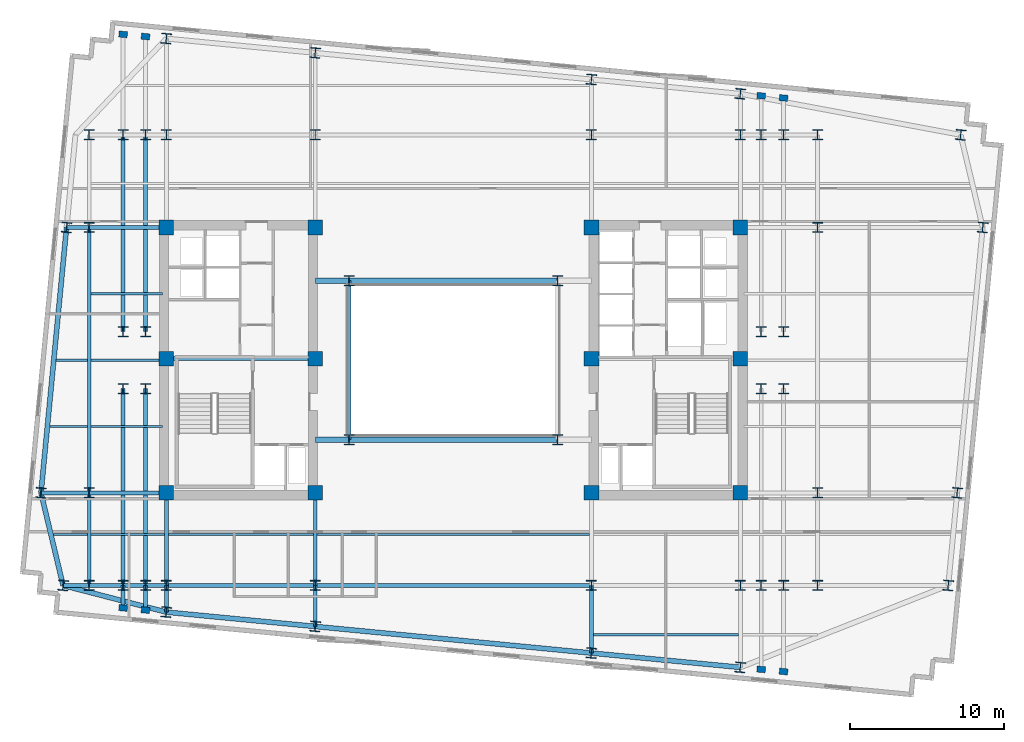
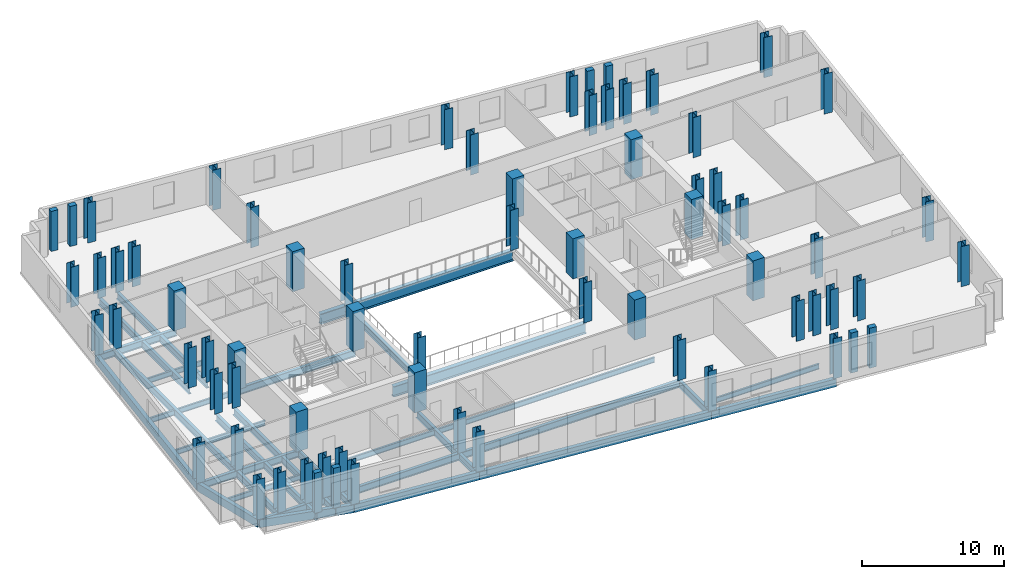
# One storey, part 1 of 9: 71 columns, 43 beams.
"""IFC4 building model written with IfcOpenShell, lengths in metres."""

from ifc_helpers import new_model, si_unit, direction, frame, origin, origin_2d, place, context, subcontext, project, spatial, rectangle, i_section, extrude, material, material_profile, profile_set, type_object, element, save


model = new_model("IFC4")

# Units and contexts
model_context = context("Model", 3, precision=1e-05, world=origin(), true_north=direction((0.0, 1.0)))
body_context = subcontext(model_context, "Body", "Model", "MODEL_VIEW")
ifc_project = project(units=[si_unit("LENGTHUNIT", "METRE"), si_unit("AREAUNIT", "SQUARE_METRE"), si_unit("VOLUMEUNIT", "CUBIC_METRE"), si_unit("PLANEANGLEUNIT", "RADIAN"), si_unit("MASSUNIT", "GRAM", prefix="KILO")], contexts=[model_context])

# Site, building, storey
site_placement = place(None, origin())
site = spatial("IfcSite", under=ifc_project, at=site_placement, CompositionType="ELEMENT")
building_placement = place(site_placement, origin())
building = spatial("IfcBuilding", under=site, at=building_placement, Name="Velakula Bourse", CompositionType="ELEMENT")
storey_placement = place(building_placement, frame((0.0, 0.0, 163.85009765625)))
storey = spatial("IfcBuildingStorey", under=building, at=storey_placement, Name="L44", CompositionType="ELEMENT", Elevation=163.85009765625)

# Columns
ifc_material_1 = material(Name="Concrete M70 (fck 70 MPa)", Category="concrete")
ifc_material_profile_1 = material_profile(ifc_material_1, rectangle(XDim=0.949951171875, YDim=0.949951171875, at=origin_2d()), Name="Concrete M70 (fck 70 MPa)")
ifc_profile_set_1 = profile_set([ifc_material_profile_1], Name="Concrete M70 (fck 70 MPa)")
column_type_1 = type_object("IfcColumnType", Name="COL-RC-950", PredefinedType="COLUMN", material=ifc_profile_set_1)
for number, where, z_axis, x_axis, name in (
    (1, (-8.949951171875, -8.60009765625, 0.0), (0.0, 0.0, 1.0), (1.0, 0.0, 0.0), "L44 Core Boundary Column 01"),
    (2, (-8.949951171875, 0.10009765625, 0.0), (0.0, 0.0, 1.0), (1.0, 0.0, 0.0), "L44 Core Boundary Column 02"),
    (3, (-8.949951171875, 8.60009765625, 0.0), (0.0, 0.0, 1.0), (1.0, 0.0, 0.0), "L44 Core Boundary Column 03"),
    (4, (-18.60009765625, -8.60009765625, 0.0), (0.0, 0.0, 1.0), (1.0, 0.0, 0.0), "L44 Core Boundary Column 04"),
    (5, (-18.60009765625, 0.10009765625, 0.0), (0.0, 0.0, 1.0), (1.0, 0.0, 0.0), "L44 Core Boundary Column 05"),
    (6, (-18.60009765625, 8.60009765625, 0.0), (0.0, 0.0, 1.0), (1.0, 0.0, 0.0), "L44 Core Boundary Column 06"),
    (7, (8.949951171875, -8.60009765625, 0.0), (0.0, 0.0, 1.0), (1.0, 0.0, 0.0), "L44 Core Boundary Column 07"),
    (8, (8.949951171875, 0.10009765625, 0.0), (0.0, 0.0, 1.0), (1.0, 0.0, 0.0), "L44 Core Boundary Column 08"),
    (9, (8.949951171875, 8.60009765625, 0.0), (0.0, 0.0, 1.0), (1.0, 0.0, 0.0), "L44 Core Boundary Column 09"),
    (10, (18.60009765625, -8.60009765625, 0.0), (0.0, 0.0, 1.0), (1.0, 0.0, 0.0), "L44 Core Boundary Column 10"),
    (11, (18.60009765625, 0.10009765625, 0.0), (0.0, 0.0, 1.0), (1.0, 0.0, 0.0), "L44 Core Boundary Column 11"),
    (12, (18.60009765625, 8.60009765625, 0.0), (0.0, 0.0, 1.0), (1.0, 0.0, 0.0), "L44 Core Boundary Column 12"),
):
    element("IfcColumn", number, at=place(storey_placement, frame(where, z_axis=z_axis, x_axis=x_axis)), inside=storey, type_object=column_type_1, Name=name, PredefinedType="COLUMN", context=body_context, shape_type="SweptSolid", body=[
        extrude(rectangle(XDim=0.949951171875, YDim=0.949951171875, at=origin_2d()), origin(), (0.0, 0.0, 1.0), 3.449951171875),
    ])
ifc_material_2 = material(Name="Steel IS 2062 Grade 350 (E350)", Category="steel")
ifc_material_profile_2 = material_profile(ifc_material_2, i_section(OverallWidth=0.64990234375, OverallDepth=0.64990234375, WebThickness=0.028076171875, FlangeThickness=0.0400390625, at=origin_2d()), Name="Steel IS 2062 Grade 350 (E350)")
ifc_profile_set_2 = profile_set([ifc_material_profile_2], Name="Steel IS 2062 Grade 350 (E350)")
column_type_2 = type_object("IfcColumnType", Name="COL-STL-650", PredefinedType="COLUMN", material=ifc_profile_set_2)
for number, where, z_axis, x_axis, name in (
    (13, (-6.75, -5.14990234375, 0.0), (0.0, 0.0, 1.0), (1.0, 0.0, 0.0), "L44 Central Spine Column 01"),
    (14, (-6.75, 5.14990234375, 0.0), (0.0, 0.0, 1.0), (1.0, 0.0, 0.0), "L44 Central Spine Column 02"),
    (15, (6.75, -5.14990234375, 0.0), (0.0, 0.0, 1.0), (1.0, 0.0, 0.0), "L44 Central Spine Column 03"),
    (16, (6.75, 5.14990234375, 0.0), (0.0, 0.0, 1.0), (1.0, 0.0, 0.0), "L44 Central Spine Column 04"),
    (17, (-21.39990234375, -14.60009765625, 0.0), (0.0, 0.0, 1.0), (1.0, 0.0, 0.0), "L44 Tower Fulcrum Column 01"),
    (18, (-21.39990234375, 14.60009765625, 0.0), (0.0, 0.0, 1.0), (1.0, 0.0, 0.0), "L44 Tower Fulcrum Column 02"),
    (19, (-19.949951171875, -14.60009765625, 0.0), (0.0, 0.0, 1.0), (1.0, 0.0, 0.0), "L44 Tower Fulcrum Column 03"),
    (20, (-19.949951171875, 14.60009765625, 0.0), (0.0, 0.0, 1.0), (1.0, 0.0, 0.0), "L44 Tower Fulcrum Column 04"),
    (21, (-18.60009765625, -14.60009765625, 0.0), (0.0, 0.0, 1.0), (1.0, 0.0, 0.0), "L44 Tower Fulcrum Column 05"),
    (22, (-18.60009765625, 14.60009765625, 0.0), (0.0, 0.0, 1.0), (1.0, 0.0, 0.0), "L44 Tower Fulcrum Column 06"),
    (23, (-8.949951171875, -14.60009765625, 0.0), (0.0, 0.0, 1.0), (1.0, 0.0, 0.0), "L44 Tower Fulcrum Column 07"),
    (24, (-8.949951171875, 14.60009765625, 0.0), (0.0, 0.0, 1.0), (1.0, 0.0, 0.0), "L44 Tower Fulcrum Column 08"),
    (25, (8.949951171875, -14.60009765625, 0.0), (0.0, 0.0, 1.0), (1.0, 0.0, 0.0), "L44 Tower Fulcrum Column 09"),
    (26, (8.949951171875, 14.60009765625, 0.0), (0.0, 0.0, 1.0), (1.0, 0.0, 0.0), "L44 Tower Fulcrum Column 10"),
    (27, (18.60009765625, -14.60009765625, 0.0), (0.0, 0.0, 1.0), (1.0, 0.0, 0.0), "L44 Tower Fulcrum Column 11"),
    (28, (18.60009765625, 14.60009765625, 0.0), (0.0, 0.0, 1.0), (1.0, 0.0, 0.0), "L44 Tower Fulcrum Column 12"),
    (29, (19.949951171875, -14.60009765625, 0.0), (0.0, 0.0, 1.0), (1.0, 0.0, 0.0), "L44 Tower Fulcrum Column 13"),
    (30, (19.949951171875, 14.60009765625, 0.0), (0.0, 0.0, 1.0), (1.0, 0.0, 0.0), "L44 Tower Fulcrum Column 14"),
    (31, (21.39990234375, -14.60009765625, 0.0), (0.0, 0.0, 1.0), (1.0, 0.0, 0.0), "L44 Tower Fulcrum Column 15"),
    (32, (21.39990234375, 14.60009765625, 0.0), (0.0, 0.0, 1.0), (1.0, 0.0, 0.0), "L44 Tower Fulcrum Column 16"),
    (33, (-21.39990234375, -1.85009765625, 0.0), (0.0, 0.0, 1.0), (1.0, 0.0, 0.0), "L44 Tower Fulcrum Column 17"),
    (34, (-21.39990234375, 1.85009765625, 0.0), (0.0, 0.0, 1.0), (1.0, 0.0, 0.0), "L44 Tower Fulcrum Column 18"),
    (35, (-19.949951171875, -1.85009765625, 0.0), (0.0, 0.0, 1.0), (1.0, 0.0, 0.0), "L44 Tower Fulcrum Column 19"),
    (36, (-19.949951171875, 1.85009765625, 0.0), (0.0, 0.0, 1.0), (1.0, 0.0, 0.0), "L44 Tower Fulcrum Column 20"),
    (37, (19.949951171875, -1.85009765625, 0.0), (0.0, 0.0, 1.0), (1.0, 0.0, 0.0), "L44 Tower Fulcrum Column 21"),
    (38, (19.949951171875, 1.85009765625, 0.0), (0.0, 0.0, 1.0), (1.0, 0.0, 0.0), "L44 Tower Fulcrum Column 22"),
    (39, (21.39990234375, -1.85009765625, 0.0), (0.0, 0.0, 1.0), (1.0, 0.0, 0.0), "L44 Tower Fulcrum Column 23"),
    (40, (21.39990234375, 1.85009765625, 0.0), (0.0, 0.0, 1.0), (1.0, 0.0, 0.0), "L44 Tower Fulcrum Column 24"),
    (41, (-23.60009765625, -14.60009765625, 0.0), (0.0, 0.0, 1.0), (1.0, 0.0, 0.0), "L44 Mid-Wing Plumb Column 01"),
    (42, (-23.60009765625, -8.60009765625, 0.0), (0.0, 0.0, 1.0), (1.0, 0.0, 0.0), "L44 Mid-Wing Plumb Column 02"),
    (43, (-23.60009765625, 8.60009765625, 0.0), (0.0, 0.0, 1.0), (1.0, 0.0, 0.0), "L44 Mid-Wing Plumb Column 03"),
    (44, (-23.60009765625, 14.60009765625, 0.0), (0.0, 0.0, 1.0), (1.0, 0.0, 0.0), "L44 Mid-Wing Plumb Column 04"),
    (45, (23.60009765625, -14.60009765625, 0.0), (0.0, 0.0, 1.0), (1.0, 0.0, 0.0), "L44 Mid-Wing Plumb Column 05"),
    (46, (23.60009765625, -8.60009765625, 0.0), (0.0, 0.0, 1.0), (1.0, 0.0, 0.0), "L44 Mid-Wing Plumb Column 06"),
    (47, (23.60009765625, 8.60009765625, 0.0), (0.0, 0.0, 1.0), (1.0, 0.0, 0.0), "L44 Mid-Wing Plumb Column 07"),
    (48, (23.60009765625, 14.60009765625, 0.0), (0.0, 0.0, 1.0), (1.0, 0.0, 0.0), "L44 Mid-Wing Plumb Column 08"),
    (49, (-18.60009765625, -16.32861328125, 0.0), (0.0, 0.0, 1.0), (0.995396198367, -0.09584575252, 0.0), "L44 Block B4 Perimeter Column S1"),
    (50, (-8.949951171875, -17.2578125, 0.0), (0.0, 0.0, 1.0), (0.995396198367, -0.09584575252, 0.0), "L44 Block B4 Perimeter Column S2"),
    (51, (8.949951171875, -18.9814453125, 0.0), (0.0, 0.0, 1.0), (0.995396198367, -0.09584575252, 0.0), "L44 Block B4 Perimeter Column S3"),
    (52, (18.60009765625, -19.91064453125, 0.0), (0.0, 0.0, 1.0), (0.995396198367, -0.09584575252, 0.0), "L44 Block B4 Perimeter Column S4"),
    (53, (-18.60009765625, 20.84228515625, 0.0), (0.0, 0.0, 1.0), (0.995396198367, -0.09584575252, 0.0), "L44 Block B4 Perimeter Column N1"),
    (54, (-8.949951171875, 19.9130859375, 0.0), (0.0, 0.0, 1.0), (0.995396198367, -0.09584575252, 0.0), "L44 Block B4 Perimeter Column N2"),
    (55, (8.949951171875, 18.189697265625, 0.0), (0.0, 0.0, 1.0), (0.995396198367, -0.09584575252, 0.0), "L44 Block B4 Perimeter Column N3"),
    (56, (18.60009765625, 17.260498046875, 0.0), (0.0, 0.0, 1.0), (0.995396198367, -0.09584575252, 0.0), "L44 Block B4 Perimeter Column N4"),
    (57, (-25.29296875, -14.60009765625, 0.0), (0.0, 0.0, 1.0), (0.995396198367, -0.09584575252, 0.0), "L44 Block B4 Perimeter Column W1"),
    (58, (-26.724365234375, -8.60009765625, 0.0), (0.0, 0.0, 1.0), (0.995396198367, -0.09584575252, 0.0), "L44 Block B4 Perimeter Column W2"),
    (59, (-25.068115234375, 8.60009765625, 0.0), (0.0, 0.0, 1.0), (0.995396198367, -0.09584575252, 0.0), "L44 Block B4 Perimeter Column W3"),
    (60, (32.0712890625, -14.60009765625, 0.0), (0.0, 0.0, 1.0), (0.995396198367, -0.09584575252, 0.0), "L44 Block B4 Perimeter Column E1"),
    (61, (32.64892578125, -8.60009765625, 0.0), (0.0, 0.0, 1.0), (0.995396198367, -0.09584575252, 0.0), "L44 Block B4 Perimeter Column E2"),
    (62, (34.30517578125, 8.60009765625, 0.0), (0.0, 0.0, 1.0), (0.995396198367, -0.09584575252, 0.0), "L44 Block B4 Perimeter Column E3"),
    (63, (32.87353515625, 14.60009765625, 0.0), (0.0, 0.0, 1.0), (0.995396198367, -0.09584575252, 0.0), "L44 Block B4 Perimeter Column E4"),
):
    element("IfcColumn", number, at=place(storey_placement, frame(where, z_axis=z_axis, x_axis=x_axis)), inside=storey, type_object=column_type_2, Name=name, PredefinedType="COLUMN", context=body_context, shape_type="SweptSolid", body=[
        extrude(i_section(OverallWidth=0.64990234375, OverallDepth=0.64990234375, WebThickness=0.028076171875, FlangeThickness=0.0400390625, at=origin_2d()), origin(), (0.0, 0.0, 1.0), 3.449951171875),
    ])
ifc_material_3 = material(Name="Precast concrete M45 (fck 45 MPa)", Category="concrete")
ifc_material_profile_3 = material_profile(ifc_material_3, rectangle(XDim=0.550048828125, YDim=0.39990234375, at=origin_2d()), Name="Precast concrete M45 (fck 45 MPa)")
ifc_profile_set_3 = profile_set([ifc_material_profile_3], Name="Precast concrete M45 (fck 45 MPa)")
column_type_3 = type_object("IfcColumnType", Name="PIL-BRICK-550", PredefinedType="PILASTER", material=ifc_profile_set_3)
for number, where, z_axis, x_axis, name in (
    (64, (-21.39990234375, -16.05908203125, 0.0), (0.0, 0.0, 1.0), (0.995396198367, -0.09584575252, 0.0), "L44 Brick Pier Pilaster 01"),
    (65, (-19.949951171875, -16.19873046875, 0.0), (0.0, 0.0, 1.0), (0.995396198367, -0.09584575252, 0.0), "L44 Brick Pier Pilaster 02"),
    (66, (19.949951171875, -20.04052734375, 0.0), (0.0, 0.0, 1.0), (0.995396198367, -0.09584575252, 0.0), "L44 Brick Pier Pilaster 03"),
    (67, (21.39990234375, -20.180419921875, 0.0), (0.0, 0.0, 1.0), (0.995396198367, -0.09584575252, 0.0), "L44 Brick Pier Pilaster 04"),
    (68, (-21.39990234375, 21.112060546875, 0.0), (0.0, 0.0, 1.0), (0.995396198367, -0.09584575252, 0.0), "L44 Brick Pier Pilaster 05"),
    (69, (-19.949951171875, 20.972412109375, 0.0), (0.0, 0.0, 1.0), (0.995396198367, -0.09584575252, 0.0), "L44 Brick Pier Pilaster 06"),
    (70, (19.949951171875, 17.130615234375, 0.0), (0.0, 0.0, 1.0), (0.995396198367, -0.09584575252, 0.0), "L44 Brick Pier Pilaster 07"),
    (71, (21.39990234375, 16.990966796875, 0.0), (0.0, 0.0, 1.0), (0.995396198367, -0.09584575252, 0.0), "L44 Brick Pier Pilaster 08"),
):
    element("IfcColumn", number, at=place(storey_placement, frame(where, z_axis=z_axis, x_axis=x_axis)), inside=storey, type_object=column_type_3, Name=name, PredefinedType="PILASTER", context=body_context, shape_type="SweptSolid", body=[
        extrude(rectangle(XDim=0.550048828125, YDim=0.39990234375, at=origin_2d()), origin(), (0.0, 0.0, 1.0), 3.449951171875),
    ])

# Beams
ifc_material_profile_4 = material_profile(ifc_material_2, i_section(OverallWidth=0.25, OverallDepth=0.60009765625, WebThickness=0.01123046875, FlangeThickness=0.021240234375, at=origin_2d()), Name="Steel IS 2062 Grade 350 (E350)")
ifc_profile_set_4 = profile_set([ifc_material_profile_4], Name="Steel IS 2062 Grade 350 (E350)")
beam_type_1 = type_object("IfcBeamType", Name="BM-GRD-600M", PredefinedType="BEAM", material=ifc_profile_set_4)
beam_1_placement = place(storey_placement, frame((-18.60009765625, 0.10009765625, -0.47998046875), z_axis=(1.0, 0.0, 0.0), x_axis=(0.0, 1.0, 0.0)))
element("IfcBeam", 72, at=beam_1_placement, inside=storey, type_object=beam_type_1, Name="L44 Primary Backbone Girder CRW-M", PredefinedType="BEAM", context=body_context, shape_type="SweptSolid", body=[
    extrude(i_section(OverallWidth=0.25, OverallDepth=0.60009765625, WebThickness=0.01123046875, FlangeThickness=0.021240234375, at=origin_2d()), origin(), (0.0, 0.0, 1.0), 9.650146484375),
])
beam_2_placement = place(storey_placement, frame((-6.75, -5.14990234375, -0.47998046875), z_axis=(0.0, 1.0, 0.0), x_axis=(-1.0, 0.0, 0.0)))
element("IfcBeam", 73, at=beam_2_placement, inside=storey, type_object=beam_type_1, Name="L44 Primary Backbone Girder SPN-W", PredefinedType="BEAM", context=body_context, shape_type="SweptSolid", body=[
    extrude(i_section(OverallWidth=0.25, OverallDepth=0.60009765625, WebThickness=0.01123046875, FlangeThickness=0.021240234375, at=origin_2d()), origin(), (0.0, 0.0, 1.0), 10.2998046875),
])
for number, where, z_axis, x_axis, name in (
    (74, (-18.60009765625, -14.60009765625, -0.47998046875), (0.0, 1.0, 0.0), (-1.0, 0.0, 0.0), "L44 Fulcrum Grid Girder FLC-WS"),
    (75, (-8.949951171875, -14.60009765625, -0.47998046875), (0.0, 1.0, 0.0), (-1.0, 0.0, 0.0), "L44 Fulcrum Grid Girder FLC-WCS"),
):
    element("IfcBeam", number, at=place(storey_placement, frame(where, z_axis=z_axis, x_axis=x_axis)), inside=storey, type_object=beam_type_1, Name=name, PredefinedType="BEAM", context=body_context, shape_type="SweptSolid", body=[
        extrude(i_section(OverallWidth=0.25, OverallDepth=0.60009765625, WebThickness=0.01123046875, FlangeThickness=0.021240234375, at=origin_2d()), origin(), (0.0, 0.0, 1.0), 6.0),
    ])
beam_3_placement = place(storey_placement, frame((-18.60009765625, -14.60009765625, -0.47998046875), z_axis=(1.0, 0.0, 0.0), x_axis=(0.0, 1.0, 0.0)))
element("IfcBeam", 76, at=beam_3_placement, inside=storey, type_object=beam_type_1, Name="L44 Fulcrum Grid Girder FLC-S1", PredefinedType="BEAM", context=body_context, shape_type="SweptSolid", body=[
    extrude(i_section(OverallWidth=0.25, OverallDepth=0.60009765625, WebThickness=0.01123046875, FlangeThickness=0.021240234375, at=origin_2d()), origin(), (0.0, 0.0, 1.0), 9.650146484375),
])
beam_4_placement = place(storey_placement, frame((-8.949951171875, -14.60009765625, -0.47998046875), z_axis=(1.0, 0.0, 0.0), x_axis=(0.0, 1.0, 0.0)))
element("IfcBeam", 77, at=beam_4_placement, inside=storey, type_object=beam_type_1, Name="L44 Fulcrum Grid Girder FLC-S2", PredefinedType="BEAM", context=body_context, shape_type="SweptSolid", body=[
    extrude(i_section(OverallWidth=0.25, OverallDepth=0.60009765625, WebThickness=0.01123046875, FlangeThickness=0.021240234375, at=origin_2d()), origin(), (0.0, 0.0, 1.0), 17.89990234375),
])
for number, where, z_axis, x_axis, name in (
    (78, (-21.39990234375, -14.60009765625, -0.47998046875), (0.0, 1.0, 0.0), (-1.0, 0.0, 0.0), "L44 Fulcrum Grid Girder FLC-PSW1"),
    (79, (-21.39990234375, 1.85009765625, -0.47998046875), (0.0, 1.0, 0.0), (-1.0, 0.0, 0.0), "L44 Fulcrum Grid Girder FLC-PNW1"),
    (80, (-19.949951171875, -14.60009765625, -0.47998046875), (0.0, 1.0, 0.0), (-1.0, 0.0, 0.0), "L44 Fulcrum Grid Girder FLC-PSW2"),
    (81, (-19.949951171875, 1.85009765625, -0.47998046875), (0.0, 1.0, 0.0), (-1.0, 0.0, 0.0), "L44 Fulcrum Grid Girder FLC-PNW2"),
):
    element("IfcBeam", number, at=place(storey_placement, frame(where, z_axis=z_axis, x_axis=x_axis)), inside=storey, type_object=beam_type_1, Name=name, PredefinedType="BEAM", context=body_context, shape_type="SweptSolid", body=[
        extrude(i_section(OverallWidth=0.25, OverallDepth=0.60009765625, WebThickness=0.01123046875, FlangeThickness=0.021240234375, at=origin_2d()), origin(), (0.0, 0.0, 1.0), 12.75),
    ])
for number, where, z_axis, x_axis, name in (
    (82, (-23.60009765625, -14.60009765625, -0.47998046875), (1.0, 0.0, 0.0), (0.0, 1.0, 0.0), "L44 Fulcrum Grid Girder MWG-WS1"),
    (83, (-23.60009765625, -8.60009765625, -0.47998046875), (1.0, 0.0, 0.0), (0.0, 1.0, 0.0), "L44 Fulcrum Grid Girder MWG-WS2"),
    (84, (-23.60009765625, 8.60009765625, -0.47998046875), (1.0, 0.0, 0.0), (0.0, 1.0, 0.0), "L44 Fulcrum Grid Girder MWG-WN1"),
):
    element("IfcBeam", number, at=place(storey_placement, frame(where, z_axis=z_axis, x_axis=x_axis)), inside=storey, type_object=beam_type_1, Name=name, PredefinedType="BEAM", context=body_context, shape_type="SweptSolid", body=[
        extrude(i_section(OverallWidth=0.25, OverallDepth=0.60009765625, WebThickness=0.01123046875, FlangeThickness=0.021240234375, at=origin_2d()), origin(), (0.0, 0.0, 1.0), 5.0),
    ])
beam_5_placement = place(storey_placement, frame((-23.60009765625, -14.60009765625, -0.47998046875), z_axis=(0.0, 1.0, 0.0), x_axis=(-1.0, 0.0, 0.0)))
element("IfcBeam", 85, at=beam_5_placement, inside=storey, type_object=beam_type_1, Name="L44 Fulcrum Grid Girder MWG-WNS1", PredefinedType="BEAM", context=body_context, shape_type="SweptSolid", body=[
    extrude(i_section(OverallWidth=0.25, OverallDepth=0.60009765625, WebThickness=0.01123046875, FlangeThickness=0.021240234375, at=origin_2d()), origin(), (0.0, 0.0, 1.0), 6.0),
])
beam_6_placement = place(storey_placement, frame((-23.60009765625, -8.60009765625, -0.47998046875), z_axis=(0.0, 1.0, 0.0), x_axis=(-1.0, 0.0, 0.0)))
element("IfcBeam", 86, at=beam_6_placement, inside=storey, type_object=beam_type_1, Name="L44 Fulcrum Grid Girder MWG-WNS2", PredefinedType="BEAM", context=body_context, shape_type="SweptSolid", body=[
    extrude(i_section(OverallWidth=0.25, OverallDepth=0.60009765625, WebThickness=0.01123046875, FlangeThickness=0.021240234375, at=origin_2d()), origin(), (0.0, 0.0, 1.0), 17.2001953125),
])
beam_7_placement = place(storey_placement, frame((-18.60009765625, -14.60009765625, -0.47998046875), z_axis=(0.0, -1.0, 0.0), x_axis=(1.0, 0.0, 0.0)))
element("IfcBeam", 87, at=beam_7_placement, inside=storey, type_object=beam_type_1, Name="L44 Perimeter Tie Girder S1", PredefinedType="BEAM", context=body_context, shape_type="SweptSolid", body=[
    extrude(i_section(OverallWidth=0.25, OverallDepth=0.60009765625, WebThickness=0.01123046875, FlangeThickness=0.021240234375, at=origin_2d()), origin(), (0.0, 0.0, 1.0), 1.728515625),
])
beam_8_placement = place(storey_placement, frame((-8.949951171875, -14.60009765625, -0.47998046875), z_axis=(0.0, -1.0, 0.0), x_axis=(1.0, 0.0, 0.0)))
element("IfcBeam", 88, at=beam_8_placement, inside=storey, type_object=beam_type_1, Name="L44 Perimeter Tie Girder S2", PredefinedType="BEAM", context=body_context, shape_type="SweptSolid", body=[
    extrude(i_section(OverallWidth=0.25, OverallDepth=0.60009765625, WebThickness=0.01123046875, FlangeThickness=0.021240234375, at=origin_2d()), origin(), (0.0, 0.0, 1.0), 2.65771484375),
])
beam_9_placement = place(storey_placement, frame((8.949951171875, -14.60009765625, -0.47998046875), z_axis=(0.0, -1.0, 0.0), x_axis=(1.0, 0.0, 0.0)))
element("IfcBeam", 89, at=beam_9_placement, inside=storey, type_object=beam_type_1, Name="L44 Perimeter Tie Girder S3", PredefinedType="BEAM", context=body_context, shape_type="SweptSolid", body=[
    extrude(i_section(OverallWidth=0.25, OverallDepth=0.60009765625, WebThickness=0.01123046875, FlangeThickness=0.021240234375, at=origin_2d()), origin(), (0.0, 0.0, 1.0), 4.38134765625),
])
beam_10_placement = place(storey_placement, frame((-23.60009765625, -14.60009765625, -0.47998046875), z_axis=(-1.0, 0.0, 0.0), x_axis=(0.0, -1.0, 0.0)))
element("IfcBeam", 90, at=beam_10_placement, inside=storey, type_object=beam_type_1, Name="L44 Perimeter Tie Girder W1", PredefinedType="BEAM", context=body_context, shape_type="SweptSolid", body=[
    extrude(i_section(OverallWidth=0.25, OverallDepth=0.60009765625, WebThickness=0.01123046875, FlangeThickness=0.021240234375, at=origin_2d()), origin(), (0.0, 0.0, 1.0), 1.69287109375),
])
beam_11_placement = place(storey_placement, frame((-23.60009765625, -8.60009765625, -0.47998046875), z_axis=(-1.0, 0.0, 0.0), x_axis=(0.0, -1.0, 0.0)))
element("IfcBeam", 91, at=beam_11_placement, inside=storey, type_object=beam_type_1, Name="L44 Perimeter Tie Girder W2", PredefinedType="BEAM", context=body_context, shape_type="SweptSolid", body=[
    extrude(i_section(OverallWidth=0.25, OverallDepth=0.60009765625, WebThickness=0.01123046875, FlangeThickness=0.021240234375, at=origin_2d()), origin(), (0.0, 0.0, 1.0), 3.124267578125),
])
beam_12_placement = place(storey_placement, frame((-23.60009765625, 8.60009765625, -0.47998046875), z_axis=(-1.0, 0.0, 0.0), x_axis=(0.0, -1.0, 0.0)))
element("IfcBeam", 92, at=beam_12_placement, inside=storey, type_object=beam_type_1, Name="L44 Perimeter Tie Girder W3", PredefinedType="BEAM", context=body_context, shape_type="SweptSolid", body=[
    extrude(i_section(OverallWidth=0.25, OverallDepth=0.60009765625, WebThickness=0.01123046875, FlangeThickness=0.021240234375, at=origin_2d()), origin(), (0.0, 0.0, 1.0), 1.468017578125),
])
beam_13_placement = place(storey_placement, frame((-21.39990234375, -14.60009765625, -0.47998046875), z_axis=(0.0, -1.0, 0.0), x_axis=(1.0, 0.0, 0.0)))
element("IfcBeam", 93, at=beam_13_placement, inside=storey, type_object=beam_type_1, Name="L44 Perimeter Tie Girder P01", PredefinedType="BEAM", context=body_context, shape_type="SweptSolid", body=[
    extrude(i_section(OverallWidth=0.25, OverallDepth=0.60009765625, WebThickness=0.01123046875, FlangeThickness=0.021240234375, at=origin_2d()), origin(), (0.0, 0.0, 1.0), 1.458984375),
])
beam_14_placement = place(storey_placement, frame((-19.949951171875, -14.60009765625, -0.47998046875), z_axis=(0.0, -1.0, 0.0), x_axis=(1.0, 0.0, 0.0)))
element("IfcBeam", 94, at=beam_14_placement, inside=storey, type_object=beam_type_1, Name="L44 Perimeter Tie Girder P02", PredefinedType="BEAM", context=body_context, shape_type="SweptSolid", body=[
    extrude(i_section(OverallWidth=0.25, OverallDepth=0.60009765625, WebThickness=0.01123046875, FlangeThickness=0.021240234375, at=origin_2d()), origin(), (0.0, 0.0, 1.0), 1.5986328125),
])
ifc_material_profile_5 = material_profile(ifc_material_2, i_section(OverallWidth=0.35009765625, OverallDepth=0.89990234375, WebThickness=0.02001953125, FlangeThickness=0.031982421875, at=origin_2d()), Name="Steel IS 2062 Grade 350 (E350)")
ifc_profile_set_5 = profile_set([ifc_material_profile_5], Name="Steel IS 2062 Grade 350 (E350)")
beam_type_2 = type_object("IfcBeamType", Name="BM-LNK-900", PredefinedType="BEAM", material=ifc_profile_set_5)
beam_15_placement = place(storey_placement, frame((-8.949951171875, -5.14990234375, -0.630126953125), z_axis=(1.0, 0.0, 0.0), x_axis=(0.0, 1.0, 0.0)))
element("IfcBeam", 95, at=beam_15_placement, inside=storey, type_object=beam_type_2, Name="L44 Primary Backbone Girder LNK-S1", PredefinedType="BEAM", context=body_context, shape_type="SweptSolid", body=[
    extrude(i_section(OverallWidth=0.35009765625, OverallDepth=0.89990234375, WebThickness=0.02001953125, FlangeThickness=0.031982421875, at=origin_2d()), origin(), (0.0, 0.0, 1.0), 2.199951171875),
])
beam_16_placement = place(storey_placement, frame((-6.75, -5.14990234375, -0.630126953125), z_axis=(1.0, 0.0, 0.0), x_axis=(0.0, 1.0, 0.0)))
element("IfcBeam", 96, at=beam_16_placement, inside=storey, type_object=beam_type_2, Name="L44 Primary Backbone Girder LNK-S2", PredefinedType="BEAM", context=body_context, shape_type="SweptSolid", body=[
    extrude(i_section(OverallWidth=0.35009765625, OverallDepth=0.89990234375, WebThickness=0.02001953125, FlangeThickness=0.031982421875, at=origin_2d()), origin(), (0.0, 0.0, 1.0), 13.5),
])
beam_17_placement = place(storey_placement, frame((-8.949951171875, 5.14990234375, -0.630126953125), z_axis=(1.0, 0.0, 0.0), x_axis=(0.0, 1.0, 0.0)))
element("IfcBeam", 97, at=beam_17_placement, inside=storey, type_object=beam_type_2, Name="L44 Primary Backbone Girder LNK-N1", PredefinedType="BEAM", context=body_context, shape_type="SweptSolid", body=[
    extrude(i_section(OverallWidth=0.35009765625, OverallDepth=0.89990234375, WebThickness=0.02001953125, FlangeThickness=0.031982421875, at=origin_2d()), origin(), (0.0, 0.0, 1.0), 2.199951171875),
])
beam_18_placement = place(storey_placement, frame((-6.75, 5.14990234375, -0.630126953125), z_axis=(1.0, 0.0, 0.0), x_axis=(0.0, 1.0, 0.0)))
element("IfcBeam", 98, at=beam_18_placement, inside=storey, type_object=beam_type_2, Name="L44 Primary Backbone Girder LNK-N2", PredefinedType="BEAM", context=body_context, shape_type="SweptSolid", body=[
    extrude(i_section(OverallWidth=0.35009765625, OverallDepth=0.89990234375, WebThickness=0.02001953125, FlangeThickness=0.031982421875, at=origin_2d()), origin(), (0.0, 0.0, 1.0), 13.5),
])
ifc_material_profile_6 = material_profile(ifc_material_2, i_section(OverallWidth=0.14990234375, OverallDepth=0.449951171875, WebThickness=0.009521484375, FlangeThickness=0.017333984375, at=origin_2d()), Name="Steel IS 2062 Grade 350 (E350)")
ifc_profile_set_6 = profile_set([ifc_material_profile_6], Name="Steel IS 2062 Grade 350 (E350)")
beam_type_3 = type_object("IfcBeamType", Name="JST-TWR-450", PredefinedType="JOIST", material=ifc_profile_set_6)
beam_19_placement = place(storey_placement, frame((9.074951171875, -17.800048828125, -0.405029296875), z_axis=(1.0, 0.0, 0.0), x_axis=(0.0, 1.0, 0.0)))
element("IfcBeam", 99, at=beam_19_placement, inside=storey, type_object=beam_type_3, Name="L44 Trading Floor Composite Joist 02", PredefinedType="JOIST", context=body_context, shape_type="SweptSolid", body=[
    extrude(i_section(OverallWidth=0.14990234375, OverallDepth=0.449951171875, WebThickness=0.009521484375, FlangeThickness=0.017333984375, at=origin_2d()), origin(), (0.0, 0.0, 1.0), 9.400146484375),
])
beam_20_placement = place(storey_placement, frame((-25.915771484375, -11.300048828125, -0.405029296875), z_axis=(1.0, 0.0, 0.0), x_axis=(0.0, 1.0, 0.0)))
element("IfcBeam", 100, at=beam_20_placement, inside=storey, type_object=beam_type_3, Name="L44 Trading Floor Composite Joist 04", PredefinedType="JOIST", context=body_context, shape_type="SweptSolid", body=[
    extrude(i_section(OverallWidth=0.14990234375, OverallDepth=0.449951171875, WebThickness=0.009521484375, FlangeThickness=0.017333984375, at=origin_2d()), origin(), (0.0, 0.0, 1.0), 2.190673828125),
])
beam_21_placement = place(storey_placement, frame((-23.47509765625, -11.300048828125, -0.405029296875), z_axis=(1.0, 0.0, 0.0), x_axis=(0.0, 1.0, 0.0)))
element("IfcBeam", 101, at=beam_21_placement, inside=storey, type_object=beam_type_3, Name="L44 Trading Floor Composite Joist 05", PredefinedType="JOIST", context=body_context, shape_type="SweptSolid", body=[
    extrude(i_section(OverallWidth=0.14990234375, OverallDepth=0.449951171875, WebThickness=0.009521484375, FlangeThickness=0.017333984375, at=origin_2d()), origin(), (0.0, 0.0, 1.0), 4.75),
])
beam_22_placement = place(storey_placement, frame((-18.47509765625, -11.300048828125, -0.405029296875), z_axis=(1.0, 0.0, 0.0), x_axis=(0.0, 1.0, 0.0)))
element("IfcBeam", 102, at=beam_22_placement, inside=storey, type_object=beam_type_3, Name="L44 Trading Floor Composite Joist 06", PredefinedType="JOIST", context=body_context, shape_type="SweptSolid", body=[
    extrude(i_section(OverallWidth=0.14990234375, OverallDepth=0.449951171875, WebThickness=0.009521484375, FlangeThickness=0.017333984375, at=origin_2d()), origin(), (0.0, 0.0, 1.0), 9.400146484375),
])
beam_23_placement = place(storey_placement, frame((-8.824951171875, -11.300048828125, -0.405029296875), z_axis=(1.0, 0.0, 0.0), x_axis=(0.0, 1.0, 0.0)))
element("IfcBeam", 103, at=beam_23_placement, inside=storey, type_object=beam_type_3, Name="L44 Trading Floor Composite Joist 07", PredefinedType="JOIST", context=body_context, shape_type="SweptSolid", body=[
    extrude(i_section(OverallWidth=0.14990234375, OverallDepth=0.449951171875, WebThickness=0.009521484375, FlangeThickness=0.017333984375, at=origin_2d()), origin(), (0.0, 0.0, 1.0), 17.64990234375),
])
beam_24_placement = place(storey_placement, frame((-26.149658203125, -4.300048828125, -0.405029296875), z_axis=(1.0, 0.0, 0.0), x_axis=(0.0, 1.0, 0.0)))
element("IfcBeam", 104, at=beam_24_placement, inside=storey, type_object=beam_type_3, Name="L44 Trading Floor Composite Joist 21", PredefinedType="JOIST", context=body_context, shape_type="SweptSolid", body=[
    extrude(i_section(OverallWidth=0.14990234375, OverallDepth=0.449951171875, WebThickness=0.009521484375, FlangeThickness=0.017333984375, at=origin_2d()), origin(), (0.0, 0.0, 1.0), 2.424560546875),
])
beam_25_placement = place(storey_placement, frame((-23.47509765625, -4.300048828125, -0.405029296875), z_axis=(1.0, 0.0, 0.0), x_axis=(0.0, 1.0, 0.0)))
element("IfcBeam", 105, at=beam_25_placement, inside=storey, type_object=beam_type_3, Name="L44 Trading Floor Composite Joist 22", PredefinedType="JOIST", context=body_context, shape_type="SweptSolid", body=[
    extrude(i_section(OverallWidth=0.14990234375, OverallDepth=0.449951171875, WebThickness=0.009521484375, FlangeThickness=0.017333984375, at=origin_2d()), origin(), (0.0, 0.0, 1.0), 4.625),
])
beam_26_placement = place(storey_placement, frame((-25.735595703125, 0.0, -0.405029296875), z_axis=(1.0, 0.0, 0.0), x_axis=(0.0, 1.0, 0.0)))
element("IfcBeam", 106, at=beam_26_placement, inside=storey, type_object=beam_type_3, Name="L44 Trading Floor Composite Joist 25", PredefinedType="JOIST", context=body_context, shape_type="SweptSolid", body=[
    extrude(i_section(OverallWidth=0.14990234375, OverallDepth=0.449951171875, WebThickness=0.009521484375, FlangeThickness=0.017333984375, at=origin_2d()), origin(), (0.0, 0.0, 1.0), 2.010498046875),
])
for number, where, z_axis, x_axis, name in (
    (107, (-23.47509765625, 0.0, -0.405029296875), (1.0, 0.0, 0.0), (0.0, 1.0, 0.0), "L44 Trading Floor Composite Joist 26"),
    (108, (-23.47509765625, 4.300048828125, -0.405029296875), (1.0, 0.0, 0.0), (0.0, 1.0, 0.0), "L44 Trading Floor Composite Joist 29"),
):
    element("IfcBeam", number, at=place(storey_placement, frame(where, z_axis=z_axis, x_axis=x_axis)), inside=storey, type_object=beam_type_3, Name=name, PredefinedType="JOIST", context=body_context, shape_type="SweptSolid", body=[
        extrude(i_section(OverallWidth=0.14990234375, OverallDepth=0.449951171875, WebThickness=0.009521484375, FlangeThickness=0.017333984375, at=origin_2d()), origin(), (0.0, 0.0, 1.0), 4.625),
    ])
ifc_material_profile_7 = material_profile(ifc_material_3, rectangle(XDim=0.320068359375, YDim=0.679931640625, at=origin_2d()), Name="Precast concrete M45 (fck 45 MPa)")
ifc_profile_set_7 = profile_set([ifc_material_profile_7], Name="Precast concrete M45 (fck 45 MPa)")
beam_type_4 = type_object("IfcBeamType", Name="SPN-BRICK-680", PredefinedType="SPANDREL", material=ifc_profile_set_7)
beam_27_placement = place(storey_placement, frame((-18.60009765625, -16.32861328125, -0.52001953125), z_axis=(0.99539623971, -0.095845323155, 0.0), x_axis=(0.095845323155, 0.99539623971, 0.0)))
element("IfcBeam", 109, at=beam_27_placement, inside=storey, type_object=beam_type_4, Name="L44 Brick-Faced Precast Spandrel S1-S2", PredefinedType="SPANDREL", context=body_context, shape_type="SweptSolid", body=[
    extrude(rectangle(XDim=0.320068359375, YDim=0.679931640625, at=origin_2d()), origin(), (0.0, 0.0, 1.0), 9.69482421875),
])
beam_28_placement = place(storey_placement, frame((-8.949951171875, -17.2578125, -0.52001953125), z_axis=(0.995395836254, -0.095849513134, 0.0), x_axis=(0.095849513134, 0.995395836254, 0.0)))
element("IfcBeam", 110, at=beam_28_placement, inside=storey, type_object=beam_type_4, Name="L44 Brick-Faced Precast Spandrel S2-S3", PredefinedType="SPANDREL", context=body_context, shape_type="SweptSolid", body=[
    extrude(rectangle(XDim=0.320068359375, YDim=0.679931640625, at=origin_2d()), origin(), (0.0, 0.0, 1.0), 17.982666015625),
])
beam_29_placement = place(storey_placement, frame((8.949951171875, -18.9814453125, -0.52001953125), z_axis=(0.99539623971, -0.095845323155, 0.0), x_axis=(0.095845323155, 0.99539623971, 0.0)))
element("IfcBeam", 111, at=beam_29_placement, inside=storey, type_object=beam_type_4, Name="L44 Brick-Faced Precast Spandrel S3-S4", PredefinedType="SPANDREL", context=body_context, shape_type="SweptSolid", body=[
    extrude(rectangle(XDim=0.320068359375, YDim=0.679931640625, at=origin_2d()), origin(), (0.0, 0.0, 1.0), 9.69482421875),
])
beam_30_placement = place(storey_placement, frame((-25.29296875, -14.60009765625, -0.52001953125), z_axis=(-0.232053924044, 0.97270292296, 0.0), x_axis=(-0.97270292296, -0.232053924044, 0.0)))
element("IfcBeam", 112, at=beam_30_placement, inside=storey, type_object=beam_type_4, Name="L44 Brick-Faced Precast Spandrel W1-W2", PredefinedType="SPANDREL", context=body_context, shape_type="SweptSolid", body=[
    extrude(rectangle(XDim=0.320068359375, YDim=0.679931640625, at=origin_2d()), origin(), (0.0, 0.0, 1.0), 6.16845703125),
])
beam_31_placement = place(storey_placement, frame((-26.724365234375, -8.60009765625, -0.52001953125), z_axis=(0.095849167925, 0.995395869495, 0.0), x_axis=(-0.995395869495, 0.095849167925, 0.0)))
element("IfcBeam", 113, at=beam_31_placement, inside=storey, type_object=beam_type_4, Name="L44 Brick-Faced Precast Spandrel W2-W3", PredefinedType="SPANDREL", context=body_context, shape_type="SweptSolid", body=[
    extrude(rectangle(XDim=0.320068359375, YDim=0.679931640625, at=origin_2d()), origin(), (0.0, 0.0, 1.0), 17.27978515625),
])
beam_32_placement = place(storey_placement, frame((-25.29296875, -14.60009765625, -0.52001953125), z_axis=(0.968230996313, -0.250057468954, 0.0), x_axis=(0.250057468954, 0.968230996313, 0.0)))
element("IfcBeam", 114, at=beam_32_placement, inside=storey, type_object=beam_type_4, Name="L44 Brick-Faced Precast Spandrel W1-S1", PredefinedType="SPANDREL", context=body_context, shape_type="SweptSolid", body=[
    extrude(rectangle(XDim=0.320068359375, YDim=0.679931640625, at=origin_2d()), origin(), (0.0, 0.0, 1.0), 6.912353515625),
])

save(model, "model.ifc")
